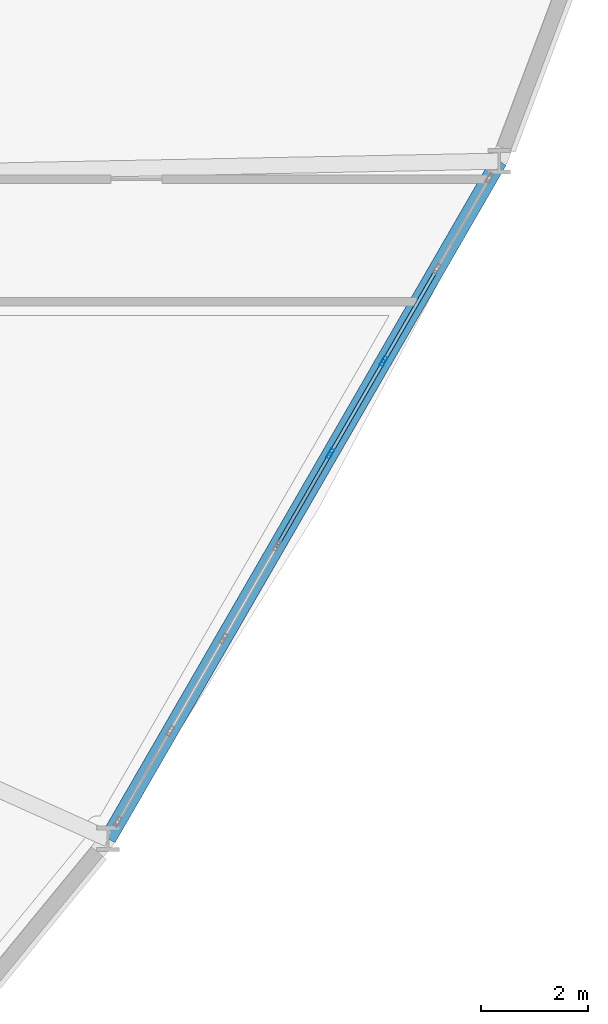
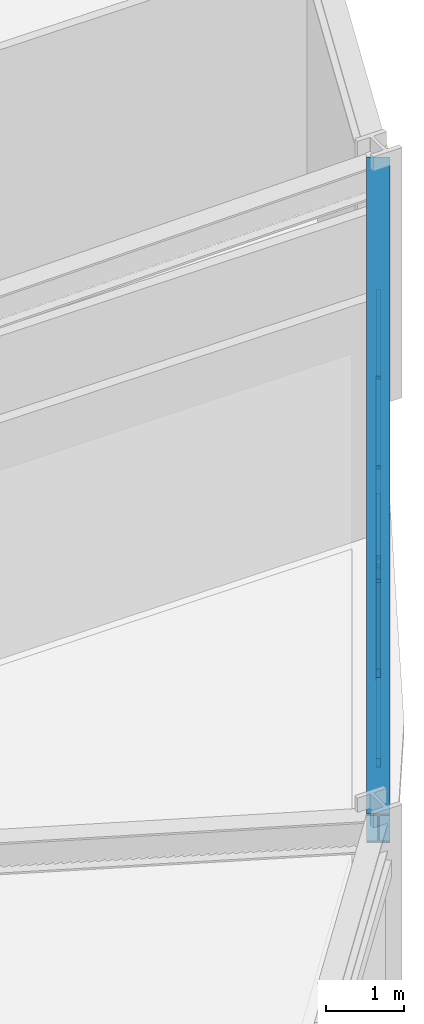
# One storey, part 7 of 20: 9 members, 1 beam, 1 element without a shape of its own.
"""IFC4 building model written with IfcOpenShell, lengths in metres."""

from ifc_helpers import new_model, si_unit, derived_unit, direction, frame, origin, origin_2d, place, context, subcontext, project, spatial, hollow_rectangle, i_section, extrude, source, transform, mapped, material, layer, layer_set, material_profile, profile_set, type_object, element, aggregate, save


model = new_model("IFC4")

# Units and contexts
model_context = context("Model", 3, precision=1e-05, world=origin(), true_north=direction((0.0, 1.0)))
body_context = subcontext(model_context, "Body", "Model", "MODEL_VIEW")
ifc_project = project(units=[si_unit("LENGTHUNIT", "METRE"), si_unit("AREAUNIT", "SQUARE_METRE"), si_unit("VOLUMEUNIT", "CUBIC_METRE"), si_unit("PLANEANGLEUNIT", "RADIAN"), si_unit("MASSUNIT", "GRAM", prefix="KILO"), derived_unit("THERMALTRANSMITTANCEUNIT", [(si_unit("POWERUNIT", "WATT"), 1), (si_unit("LENGTHUNIT", "METRE"), -2), (si_unit("THERMODYNAMICTEMPERATUREUNIT", "KELVIN"), -1)])], contexts=[model_context])

# Site, building, storey
site_placement = place(None, origin())
site = spatial("IfcSite", under=ifc_project, at=site_placement, CompositionType="ELEMENT")
building_placement = place(site_placement, origin())
building = spatial("IfcBuilding", under=site, at=building_placement, Name="Korsvarv Bourse and Concert Hall", CompositionType="ELEMENT")
storey_placement = place(building_placement, frame((0.0, 0.0, 91.199951171875)))
storey = spatial("IfcBuildingStorey", under=building, at=storey_placement, Name="L22", CompositionType="ELEMENT", Elevation=91.199951171875)

# Beam
ifc_material_1 = material(Name="Steel S355", Category="steel")
ifc_material_profile_1 = material_profile(ifc_material_1, i_section(OverallWidth=0.300048828125, OverallDepth=0.449951171875, WebThickness=0.013916015625, FlangeThickness=0.02587890625, FilletRadius=0.02099609375, at=origin_2d()), Name="HEB 450")
ifc_profile_set_1 = profile_set([ifc_material_profile_1], Name="Steel S355")
beam_type = type_object("IfcBeamType", Name="BM-HEB450", PredefinedType="SPANDREL", material=ifc_profile_set_1)
shared_shape_1 = source(origin(), body_context, "Body", "SweptSolid", [
    extrude(i_section(OverallWidth=0.300048828125, OverallDepth=0.449951171875, WebThickness=0.013916015625, FlangeThickness=0.02587890625, FilletRadius=0.02099609375, at=origin_2d()), origin(), (0.0, 0.0, 1.0), 14.6181640625),
])
beam_placement = place(storey_placement, frame((53.309814453125, 19.9912109375, 3.455078125), z_axis=(0.500000991318, 0.866024831446, 0.0), x_axis=(-0.866024831446, 0.500000991318, 0.0)))
element("IfcBeam", 1, at=beam_placement, inside=storey, type_object=beam_type, Name="L22 beam B-08", PredefinedType="SPANDREL", context=body_context, shape_type="MappedRepresentation", body=[
    mapped(shared_shape_1, transform((0.0, 0.0, 0.0), scale=1.0)),
])

# Curtain wall, members
ifc_material_2 = material(Name="Anodised aluminium and triple low-E glazing", Category="glass")
ifc_layer = layer(ifc_material_2, 0.219970703125)
ifc_layer_set = layer_set([ifc_layer], Name="Anodised aluminium and triple low-E glazing")
curtain_wall_type = type_object("IfcCurtainWallType", Name="CW-SYS-1", PredefinedType="NOTDEFINED", material=ifc_layer_set)
curtain_wall_placement = place(storey_placement, origin())
curtain_wall = element("IfcCurtainWall", 2, at=curtain_wall_placement, inside=storey, type_object=curtain_wall_type, Name="L22 CW1 curtain wall CW-L22-F11", PredefinedType="NOTDEFINED")
ifc_material_3 = material(Name="Extruded aluminium EN AW-6063 T66", Category="aluminium")
ifc_material_profile_2 = material_profile(ifc_material_3, hollow_rectangle(XDim=0.070068359375, YDim=0.18994140625, WallThickness=0.0048828125, at=origin_2d()), Name="ALU-M 70x190")
ifc_profile_set_2 = profile_set([ifc_material_profile_2], Name="Extruded aluminium EN AW-6063 T66")
member_type_1 = type_object("IfcMemberType", Name="CWM-190", PredefinedType="MULLION", material=ifc_profile_set_2)
shared_shape_2 = source(origin(), body_context, "Body", "SweptSolid", [
    extrude(hollow_rectangle(XDim=0.070068359375, YDim=0.18994140625, WallThickness=0.0048828125, at=origin_2d()), origin(), (0.0, 0.0, 1.0), 3.22998046875),
])
member_1_placement = place(storey_placement, frame((57.462890625, 27.184326171875, 0.0), z_axis=(0.0, 0.0, 1.0), x_axis=(-0.8660261613, 0.499998687942, 0.0)))
member_1 = element("IfcMember", 3, at=member_1_placement, type_object=member_type_1, Name="CW1 mullion 5", PredefinedType="MULLION", context=body_context, shape_type="MappedRepresentation", body=[
    mapped(shared_shape_2, transform((0.0, 0.0, 0.0), scale=1.0)),
])
member_2_placement = place(storey_placement, frame((58.459716796875, 28.910888671875, 0.0), z_axis=(0.0, 0.0, 1.0), x_axis=(-0.8660261613, 0.499998687942, 0.0)))
member_2 = element("IfcMember", 4, at=member_2_placement, type_object=member_type_1, Name="CW1 mullion 6", PredefinedType="MULLION", context=body_context, shape_type="MappedRepresentation", body=[
    mapped(shared_shape_2, transform((0.0, 0.0, 0.0), scale=1.0)),
])
ifc_material_profile_3 = material_profile(ifc_material_3, hollow_rectangle(XDim=0.06494140625, YDim=0.139892578125, WallThickness=0.00390625, at=origin_2d()), Name="ALU-T 65x140")
ifc_profile_set_3 = profile_set([ifc_material_profile_3], Name="Extruded aluminium EN AW-6063 T66")
member_type_2 = type_object("IfcMemberType", Name="CWT-140", PredefinedType="USERDEFINED", material=ifc_profile_set_3)
shared_shape_3 = source(origin(), body_context, "Body", "SweptSolid", [
    extrude(hollow_rectangle(XDim=0.06494140625, YDim=0.139892578125, WallThickness=0.00390625, at=origin_2d()), origin(), (0.0, 0.0, 1.0), 1.923828125),
])
member_3_placement = place(storey_placement, frame((56.4833984375, 25.488037109375, 0.032470703125), z_axis=(0.500015396624, 0.866016514357, 0.0), x_axis=(-0.866016514357, 0.500015396624, 0.0)))
member_3 = element("IfcMember", 5, at=member_3_placement, type_object=member_type_2, Name="CW1 transom 4.1", ObjectType="TRANSOM", PredefinedType="USERDEFINED", context=body_context, shape_type="MappedRepresentation", body=[
    mapped(shared_shape_3, transform((0.0, 0.0, 0.0), scale=1.0)),
])
member_4_placement = place(storey_placement, frame((56.4833984375, 25.488037109375, 3.197509765625), z_axis=(0.500015396624, 0.866016514357, 0.0), x_axis=(-0.866016514357, 0.500015396624, 0.0)))
member_4 = element("IfcMember", 6, at=member_4_placement, type_object=member_type_2, Name="CW1 transom 4.2", ObjectType="TRANSOM", PredefinedType="USERDEFINED", context=body_context, shape_type="MappedRepresentation", body=[
    mapped(shared_shape_3, transform((0.0, 0.0, 0.0), scale=1.0)),
])
member_5_placement = place(storey_placement, frame((57.480224609375, 27.214599609375, 0.032470703125), z_axis=(0.500015396624, 0.866016514357, 0.0), x_axis=(-0.866016514357, 0.500015396624, 0.0)))
member_5 = element("IfcMember", 7, at=member_5_placement, type_object=member_type_2, Name="CW1 transom 5.1", ObjectType="TRANSOM", PredefinedType="USERDEFINED", context=body_context, shape_type="MappedRepresentation", body=[
    mapped(shared_shape_3, transform((0.0, 0.0, 0.0), scale=1.0)),
])
member_6_placement = place(storey_placement, frame((57.480224609375, 27.214599609375, 3.197509765625), z_axis=(0.500015396624, 0.866016514357, 0.0), x_axis=(-0.866016514357, 0.500015396624, 0.0)))
member_6 = element("IfcMember", 8, at=member_6_placement, type_object=member_type_2, Name="CW1 transom 5.2", ObjectType="TRANSOM", PredefinedType="USERDEFINED", context=body_context, shape_type="MappedRepresentation", body=[
    mapped(shared_shape_3, transform((0.0, 0.0, 0.0), scale=1.0)),
])
member_7_placement = place(storey_placement, frame((58.47705078125, 28.941162109375, 0.032470703125), z_axis=(0.500015396624, 0.866016514357, 0.0), x_axis=(-0.866016514357, 0.500015396624, 0.0)))
member_7 = element("IfcMember", 9, at=member_7_placement, type_object=member_type_2, Name="CW1 transom 6.1", ObjectType="TRANSOM", PredefinedType="USERDEFINED", context=body_context, shape_type="MappedRepresentation", body=[
    mapped(shared_shape_3, transform((0.0, 0.0, 0.0), scale=1.0)),
])
member_8_placement = place(storey_placement, frame((58.47705078125, 28.941162109375, 3.197509765625), z_axis=(0.500015396624, 0.866016514357, 0.0), x_axis=(-0.866016514357, 0.500015396624, 0.0)))
member_8 = element("IfcMember", 10, at=member_8_placement, type_object=member_type_2, Name="CW1 transom 6.2", ObjectType="TRANSOM", PredefinedType="USERDEFINED", context=body_context, shape_type="MappedRepresentation", body=[
    mapped(shared_shape_3, transform((0.0, 0.0, 0.0), scale=1.0)),
])
ifc_material_profile_4 = material_profile(ifc_material_3, hollow_rectangle(XDim=0.06494140625, YDim=0.1650390625, WallThickness=0.0048828125, at=origin_2d()), Name="ALU-M 65x165")
ifc_profile_set_4 = profile_set([ifc_material_profile_4], Name="Extruded aluminium EN AW-6063 T66")
member_type_3 = type_object("IfcMemberType", Name="CWM-165", PredefinedType="MULLION", material=ifc_profile_set_4)
shared_shape_4 = source(origin(), body_context, "Body", "SweptSolid", [
    extrude(hollow_rectangle(XDim=0.06494140625, YDim=0.1650390625, WallThickness=0.0048828125, at=origin_2d()), origin(), (0.0, 0.0, 1.0), 3.6484375),
])
member_9_placement = place(storey_placement, frame((57.4453125, 27.154052734375, 0.06494140625), z_axis=(-0.263647041796, -0.456631323152, 0.849692928103), x_axis=(0.866016514357, -0.500015396624, 0.0)))
member_9 = element("IfcMember", 11, at=member_9_placement, type_object=member_type_3, Name="CW1 diagonal mullion 4", PredefinedType="MULLION", context=body_context, shape_type="MappedRepresentation", body=[
    mapped(shared_shape_4, transform((0.0, 0.0, 0.0), scale=1.0)),
])
aggregate(curtain_wall, [member_1, member_2, member_3, member_4, member_9, member_5, member_6, member_7, member_8])

save(model, "model.ifc")
